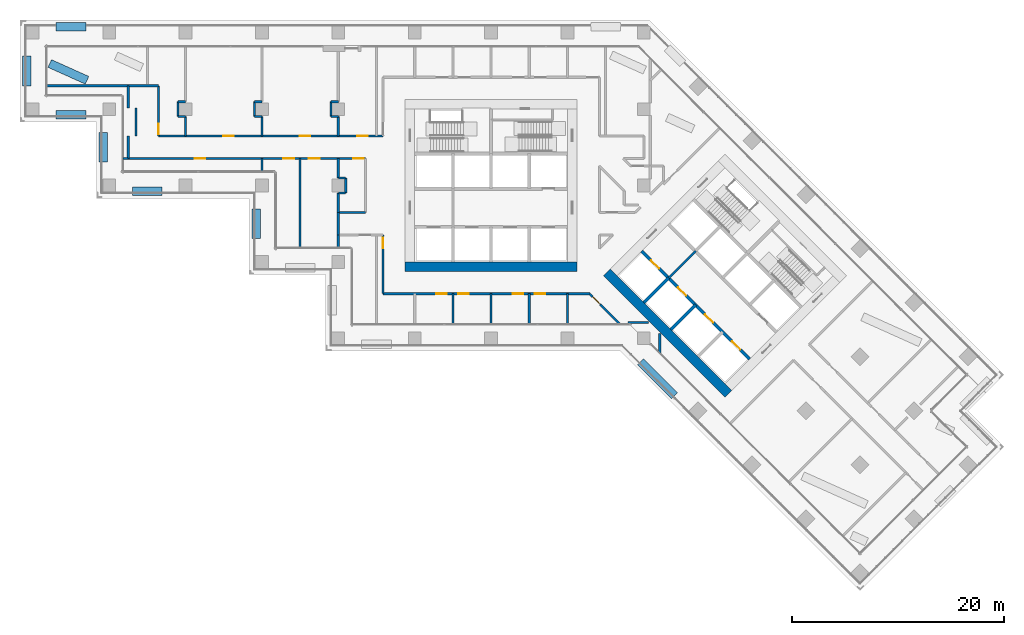
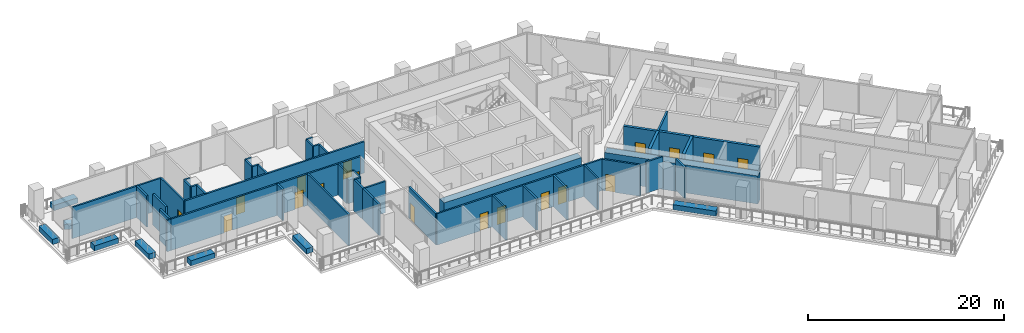
# One storey, part 12 of 24: 54 walls, 18 doors, 18 openings.
"""IFC4 building model written with IfcOpenShell, lengths in metres."""

from ifc_helpers import new_model, si_unit, direction, frame, frame_2d, origin, place, context, subcontext, project, spatial, rectangle, extrude, material, layer, layer_set, type_object, element, fill, save


model = new_model("IFC4")

# Units and contexts
model_context = context("Model", 3, precision=1e-05, world=origin(), true_north=direction((0.0, 1.0)))
body_context = subcontext(model_context, "Body", "Model", "MODEL_VIEW")
ifc_project = project(units=[si_unit("LENGTHUNIT", "METRE"), si_unit("AREAUNIT", "SQUARE_METRE"), si_unit("VOLUMEUNIT", "CUBIC_METRE"), si_unit("PLANEANGLEUNIT", "RADIAN"), si_unit("MASSUNIT", "GRAM", prefix="KILO")], contexts=[model_context])

# Site, building, storey
site_placement = place(None, origin())
site = spatial("IfcSite", under=ifc_project, at=site_placement, CompositionType="ELEMENT")
building_placement = place(site_placement, origin())
building = spatial("IfcBuilding", under=site, at=building_placement, Name="Windrow Commons", CompositionType="ELEMENT")
storey_placement = place(building_placement, frame((0.0, 0.0, 77.0)))
storey = spatial("IfcBuildingStorey", under=building, at=storey_placement, Name="L20", CompositionType="ELEMENT", Elevation=77.0)

# Wall
ifc_material_1 = material(Name="Blockwork partition", Category="masonry")
ifc_layer_1 = layer(ifc_material_1, 0.2)
ifc_layer_set_1 = layer_set([ifc_layer_1], Name="Fire lobby partition 200")
wall_type_1 = type_object("IfcWallType", Name="Fire lobby partition 200", PredefinedType="PARTITIONING", material=ifc_layer_set_1)
wall_1_placement = place(storey_placement, frame((81.5335, 48.8776, 0.0), z_axis=(0.0, 0.0, 1.0), x_axis=(0.707092892, 0.7071206701, 0.0)))
element("IfcWall", 1, at=wall_1_placement, inside=storey, type_object=wall_type_1, Name="W-core-lobby-B-L20", PredefinedType="PARTITIONING", context=body_context, shape_type="SweptSolid", body=[
    extrude(rectangle(XDim=3.6, YDim=0.2, at=frame_2d((1.8, 0.0))), origin(), (0.0, 0.0, 1.0), 3.9),
])

# Wall, openings, doors
ifc_material_2 = material(Name="Blockwork partition", Category="masonry")
ifc_layer_2 = layer(ifc_material_2, 0.2)
ifc_layer_set_2 = layer_set([ifc_layer_2], Name="IW-CORRIDOR-200")
wall_type_2 = type_object("IfcWallType", Name="IW-CORRIDOR-200", PredefinedType="PARTITIONING", material=ifc_layer_set_2)
wall_2_placement = place(storey_placement, frame((30.6, 60.15, 0.0), z_axis=(0.0, 0.0, 1.0), x_axis=(1.0, 0.0, 0.0)))
wall_2 = element("IfcWall", 2, at=wall_2_placement, inside=storey, type_object=wall_type_2, Name="W-L20-W000", PredefinedType="PARTITIONING", context=body_context, shape_type="SweptSolid", body=[
    extrude(rectangle(XDim=22.35, YDim=0.2, at=frame_2d((11.175, 0.0))), origin(), (0.0, 0.0, 1.0), 3.9),
])
opening_1_placement = place(wall_2_placement, frame((6.2543, 0.0, 0.0)))
opening_1 = element("IfcOpeningElement", 3, at=opening_1_placement, cuts=wall_2, Name="Opening D310F", PredefinedType="OPENING", context=body_context, shape_type="SweptSolid", body=[
    extrude(rectangle(XDim=1.0, YDim=2.1, at=frame_2d((0.5, 1.05))), frame((0.0, 0.11, 0.0), z_axis=(0.0, -1.0, 0.0), x_axis=(1.0, 0.0, 0.0)), (0.0, 0.0, 1.0), 0.22),
])
opening_2_placement = place(wall_2_placement, frame((14.6325, 0.0, 0.0)))
opening_2 = element("IfcOpeningElement", 4, at=opening_2_placement, cuts=wall_2, Name="Opening D310F", PredefinedType="OPENING", context=body_context, shape_type="SweptSolid", body=[
    extrude(rectangle(XDim=1.0, YDim=2.1, at=frame_2d((0.5, 1.05))), frame((0.0, 0.11, 0.0), z_axis=(0.0, -1.0, 0.0), x_axis=(1.0, 0.0, 0.0)), (0.0, 0.0, 1.0), 0.22),
])
opening_3_placement = place(wall_2_placement, frame((17.035, 0.0, 0.0)))
opening_3 = element("IfcOpeningElement", 5, at=opening_3_placement, cuts=wall_2, Name="Opening D310F", PredefinedType="OPENING", context=body_context, shape_type="SweptSolid", body=[
    extrude(rectangle(XDim=1.0, YDim=2.1, at=frame_2d((0.5, 1.05))), frame((0.0, 0.11, 0.0), z_axis=(0.0, -1.0, 0.0), x_axis=(1.0, 0.0, 0.0)), (0.0, 0.0, 1.0), 0.22),
])
opening_4_placement = place(wall_2_placement, frame((21.2053, 0.0, 0.0)))
opening_4 = element("IfcOpeningElement", 6, at=opening_4_placement, cuts=wall_2, Name="Opening D410F", PredefinedType="OPENING", context=body_context, shape_type="SweptSolid", body=[
    extrude(rectangle(XDim=1.0, YDim=2.1, at=frame_2d((0.5, 1.05))), frame((0.0, 0.11, 0.0), z_axis=(0.0, -1.0, 0.0), x_axis=(1.0, 0.0, 0.0)), (0.0, 0.0, 1.0), 0.22),
])
ifc_material_3 = material(Name="Timber door leaf", Category="wood")
door_type_1 = type_object("IfcDoorType", Name="DT-AMENITY-1000", OperationType="SINGLE_SWING_LEFT", PredefinedType="DOOR", material=ifc_material_3)
door_1_placement = place(opening_1_placement, origin())
door_1 = element("IfcDoor", 7, at=door_1_placement, inside=storey, type_object=door_type_1, Name="D-L20-D000", OperationType="SINGLE_SWING_LEFT", OverallHeight=2.1, OverallWidth=1.0, PredefinedType="DOOR", context=body_context, shape_type="SweptSolid", body=[
    extrude(rectangle(XDim=1.0, YDim=2.1, at=frame_2d((0.5, 1.05))), frame((0.0, 0.025, 0.0), z_axis=(0.0, -1.0, 0.0), x_axis=(1.0, 0.0, 0.0)), (0.0, 0.0, 1.0), 0.05),
])
fill(opening_1, door_1)
door_2_placement = place(opening_2_placement, origin())
door_2 = element("IfcDoor", 8, at=door_2_placement, inside=storey, type_object=door_type_1, Name="D-L20-D001", OperationType="SINGLE_SWING_LEFT", OverallHeight=2.1, OverallWidth=1.0, PredefinedType="DOOR", context=body_context, shape_type="SweptSolid", body=[
    extrude(rectangle(XDim=1.0, YDim=2.1, at=frame_2d((0.5, 1.05))), frame((0.0, 0.025, 0.0), z_axis=(0.0, -1.0, 0.0), x_axis=(1.0, 0.0, 0.0)), (0.0, 0.0, 1.0), 0.05),
])
fill(opening_2, door_2)
door_3_placement = place(opening_3_placement, origin())
door_3 = element("IfcDoor", 9, at=door_3_placement, inside=storey, type_object=door_type_1, Name="D-L20-D002", OperationType="SINGLE_SWING_RIGHT", OverallHeight=2.1, OverallWidth=1.0, PredefinedType="DOOR", context=body_context, shape_type="SweptSolid", body=[
    extrude(rectangle(XDim=1.0, YDim=2.1, at=frame_2d((0.5, 1.05))), frame((0.0, 0.025, 0.0), z_axis=(0.0, -1.0, 0.0), x_axis=(1.0, 0.0, 0.0)), (0.0, 0.0, 1.0), 0.05),
])
fill(opening_3, door_3)
ifc_material_4 = material(Name="Timber door leaf", Category="wood")
door_type_2 = type_object("IfcDoorType", Name="DT-SERVICE-1000", OperationType="SINGLE_SWING_LEFT", PredefinedType="DOOR", material=ifc_material_4)
door_4_placement = place(opening_4_placement, origin())
door_4 = element("IfcDoor", 10, at=door_4_placement, inside=storey, type_object=door_type_2, Name="D-L20-D003", OperationType="SINGLE_SWING_LEFT", OverallHeight=2.1, OverallWidth=1.0, PredefinedType="DOOR", context=body_context, shape_type="SweptSolid", body=[
    extrude(rectangle(XDim=1.0, YDim=2.1, at=frame_2d((0.5, 1.05))), frame((0.0, 0.025, 0.0), z_axis=(0.0, -1.0, 0.0), x_axis=(1.0, 0.0, 0.0)), (0.0, 0.0, 1.0), 0.05),
])
fill(opening_4, door_4)

wall_3_placement = place(storey_placement, frame((33.452, 62.25, 0.0), z_axis=(0.0, 0.0, 1.0), x_axis=(1.0, 0.0, 0.0)))
wall_3 = element("IfcWall", 11, at=wall_3_placement, inside=storey, type_object=wall_type_2, Name="W-L20-W001", PredefinedType="PARTITIONING", context=body_context, shape_type="SweptSolid", body=[
    extrude(rectangle(XDim=21.148, YDim=0.2, at=frame_2d((10.574, 0.0))), origin(), (0.0, 0.0, 1.0), 3.9),
])
opening_5_placement = place(wall_3_placement, frame((6.1055, 0.0, 0.0)))
opening_5 = element("IfcOpeningElement", 12, at=opening_5_placement, cuts=wall_3, Name="Opening D310F", PredefinedType="OPENING", context=body_context, shape_type="SweptSolid", body=[
    extrude(rectangle(XDim=1.0, YDim=2.1, at=frame_2d((0.5, 1.05))), frame((0.0, 0.11, 0.0), z_axis=(0.0, -1.0, 0.0), x_axis=(1.0, 0.0, 0.0)), (0.0, 0.0, 1.0), 0.22),
])
opening_6_placement = place(wall_3_placement, frame((13.3055, 0.0, 0.0)))
opening_6 = element("IfcOpeningElement", 13, at=opening_6_placement, cuts=wall_3, Name="Opening D310F", PredefinedType="OPENING", context=body_context, shape_type="SweptSolid", body=[
    extrude(rectangle(XDim=1.0, YDim=2.1, at=frame_2d((0.5, 1.05))), frame((0.0, 0.11, 0.0), z_axis=(0.0, -1.0, 0.0), x_axis=(1.0, 0.0, 0.0)), (0.0, 0.0, 1.0), 0.22),
])
opening_7_placement = place(wall_3_placement, frame((18.713, 0.0, 0.0)))
opening_7 = element("IfcOpeningElement", 14, at=opening_7_placement, cuts=wall_3, Name="Opening D310F", PredefinedType="OPENING", context=body_context, shape_type="SweptSolid", body=[
    extrude(rectangle(XDim=1.0, YDim=2.1, at=frame_2d((0.5, 1.05))), frame((0.0, 0.11, 0.0), z_axis=(0.0, -1.0, 0.0), x_axis=(1.0, 0.0, 0.0)), (0.0, 0.0, 1.0), 0.22),
])
door_5_placement = place(opening_5_placement, origin())
door_5 = element("IfcDoor", 15, at=door_5_placement, inside=storey, type_object=door_type_1, Name="D-L20-D014", OperationType="SINGLE_SWING_RIGHT", OverallHeight=2.1, OverallWidth=1.0, PredefinedType="DOOR", context=body_context, shape_type="SweptSolid", body=[
    extrude(rectangle(XDim=1.0, YDim=2.1, at=frame_2d((0.5, 1.05))), frame((0.0, 0.025, 0.0), z_axis=(0.0, -1.0, 0.0), x_axis=(1.0, 0.0, 0.0)), (0.0, 0.0, 1.0), 0.05),
])
fill(opening_5, door_5)
door_6_placement = place(opening_6_placement, origin())
door_6 = element("IfcDoor", 16, at=door_6_placement, inside=storey, type_object=door_type_1, Name="D-L20-D015", OperationType="SINGLE_SWING_RIGHT", OverallHeight=2.1, OverallWidth=1.0, PredefinedType="DOOR", context=body_context, shape_type="SweptSolid", body=[
    extrude(rectangle(XDim=1.0, YDim=2.1, at=frame_2d((0.5, 1.05))), frame((0.0, 0.025, 0.0), z_axis=(0.0, -1.0, 0.0), x_axis=(1.0, 0.0, 0.0)), (0.0, 0.0, 1.0), 0.05),
])
fill(opening_6, door_6)
door_7_placement = place(opening_7_placement, origin())
door_7 = element("IfcDoor", 17, at=door_7_placement, inside=storey, type_object=door_type_1, Name="D-L20-D016", OperationType="SINGLE_SWING_RIGHT", OverallHeight=2.1, OverallWidth=1.0, PredefinedType="DOOR", context=body_context, shape_type="SweptSolid", body=[
    extrude(rectangle(XDim=1.0, YDim=2.1, at=frame_2d((0.5, 1.05))), frame((0.0, 0.025, 0.0), z_axis=(0.0, -1.0, 0.0), x_axis=(1.0, 0.0, 0.0)), (0.0, 0.0, 1.0), 0.05),
])
fill(opening_7, door_7)

wall_4_placement = place(storey_placement, frame((54.6, 47.4, 0.0), z_axis=(0.0, 0.0, 1.0), x_axis=(1.0, 0.0, 0.0)))
wall_4 = element("IfcWall", 18, at=wall_4_placement, inside=storey, type_object=wall_type_2, Name="W-L20-W003", PredefinedType="PARTITIONING", context=body_context, shape_type="SweptSolid", body=[
    extrude(rectangle(XDim=19.502, YDim=0.2, at=frame_2d((9.751, 0.0))), origin(), (0.0, 0.0, 1.0), 3.9),
])
opening_8_placement = place(wall_4_placement, frame((5.0325, 0.0, 0.0)))
opening_8 = element("IfcOpeningElement", 19, at=opening_8_placement, cuts=wall_4, Name="Opening D310F", PredefinedType="OPENING", context=body_context, shape_type="SweptSolid", body=[
    extrude(rectangle(XDim=1.0, YDim=2.1, at=frame_2d((0.5, 1.05))), frame((0.0, 0.11, 0.0), z_axis=(0.0, -1.0, 0.0), x_axis=(1.0, 0.0, 0.0)), (0.0, 0.0, 1.0), 0.22),
])
opening_9_placement = place(wall_4_placement, frame((7.1075, 0.0, 0.0)))
opening_9 = element("IfcOpeningElement", 20, at=opening_9_placement, cuts=wall_4, Name="Opening D310F", PredefinedType="OPENING", context=body_context, shape_type="SweptSolid", body=[
    extrude(rectangle(XDim=1.0, YDim=2.1, at=frame_2d((0.5, 1.05))), frame((0.0, 0.11, 0.0), z_axis=(0.0, -1.0, 0.0), x_axis=(1.0, 0.0, 0.0)), (0.0, 0.0, 1.0), 0.22),
])
opening_10_placement = place(wall_4_placement, frame((12.2325, 0.0, 0.0)))
opening_10 = element("IfcOpeningElement", 21, at=opening_10_placement, cuts=wall_4, Name="Opening D310F", PredefinedType="OPENING", context=body_context, shape_type="SweptSolid", body=[
    extrude(rectangle(XDim=1.0, YDim=2.1, at=frame_2d((0.5, 1.05))), frame((0.0, 0.11, 0.0), z_axis=(0.0, -1.0, 0.0), x_axis=(1.0, 0.0, 0.0)), (0.0, 0.0, 1.0), 0.22),
])
opening_11_placement = place(wall_4_placement, frame((14.3075, 0.0, 0.0)))
opening_11 = element("IfcOpeningElement", 22, at=opening_11_placement, cuts=wall_4, Name="Opening D310F", PredefinedType="OPENING", context=body_context, shape_type="SweptSolid", body=[
    extrude(rectangle(XDim=1.0, YDim=2.1, at=frame_2d((0.5, 1.05))), frame((0.0, 0.11, 0.0), z_axis=(0.0, -1.0, 0.0), x_axis=(1.0, 0.0, 0.0)), (0.0, 0.0, 1.0), 0.22),
])
door_8_placement = place(opening_8_placement, origin())
door_8 = element("IfcDoor", 23, at=door_8_placement, inside=storey, type_object=door_type_1, Name="D-L20-D006", OperationType="SINGLE_SWING_LEFT", OverallHeight=2.1, OverallWidth=1.0, PredefinedType="DOOR", context=body_context, shape_type="SweptSolid", body=[
    extrude(rectangle(XDim=1.0, YDim=2.1, at=frame_2d((0.5, 1.05))), frame((0.0, 0.025, 0.0), z_axis=(0.0, -1.0, 0.0), x_axis=(1.0, 0.0, 0.0)), (0.0, 0.0, 1.0), 0.05),
])
fill(opening_8, door_8)
door_9_placement = place(opening_9_placement, origin())
door_9 = element("IfcDoor", 24, at=door_9_placement, inside=storey, type_object=door_type_1, Name="D-L20-D007", OperationType="SINGLE_SWING_RIGHT", OverallHeight=2.1, OverallWidth=1.0, PredefinedType="DOOR", context=body_context, shape_type="SweptSolid", body=[
    extrude(rectangle(XDim=1.0, YDim=2.1, at=frame_2d((0.5, 1.05))), frame((0.0, 0.025, 0.0), z_axis=(0.0, -1.0, 0.0), x_axis=(1.0, 0.0, 0.0)), (0.0, 0.0, 1.0), 0.05),
])
fill(opening_9, door_9)
door_10_placement = place(opening_10_placement, origin())
door_10 = element("IfcDoor", 25, at=door_10_placement, inside=storey, type_object=door_type_1, Name="D-L20-D008", OperationType="SINGLE_SWING_LEFT", OverallHeight=2.1, OverallWidth=1.0, PredefinedType="DOOR", context=body_context, shape_type="SweptSolid", body=[
    extrude(rectangle(XDim=1.0, YDim=2.1, at=frame_2d((0.5, 1.05))), frame((0.0, 0.025, 0.0), z_axis=(0.0, -1.0, 0.0), x_axis=(1.0, 0.0, 0.0)), (0.0, 0.0, 1.0), 0.05),
])
fill(opening_10, door_10)
door_11_placement = place(opening_11_placement, origin())
door_11 = element("IfcDoor", 26, at=door_11_placement, inside=storey, type_object=door_type_1, Name="D-L20-D009", OperationType="SINGLE_SWING_RIGHT", OverallHeight=2.1, OverallWidth=1.0, PredefinedType="DOOR", context=body_context, shape_type="SweptSolid", body=[
    extrude(rectangle(XDim=1.0, YDim=2.1, at=frame_2d((0.5, 1.05))), frame((0.0, 0.025, 0.0), z_axis=(0.0, -1.0, 0.0), x_axis=(1.0, 0.0, 0.0)), (0.0, 0.0, 1.0), 0.05),
])
fill(opening_11, door_11)

# Wall, opening, door
wall_5_placement = place(storey_placement, frame((54.6, 47.4, 0.0), z_axis=(0.0, 0.0, 1.0), x_axis=(0.0, 1.0, 0.0)))
wall_5 = element("IfcWall", 27, at=wall_5_placement, inside=storey, type_object=wall_type_2, Name="W-L20-W018", PredefinedType="PARTITIONING", context=body_context, shape_type="SweptSolid", body=[
    extrude(rectangle(XDim=5.55, YDim=0.2, at=frame_2d((2.775, 0.0))), origin(), (0.0, 0.0, 1.0), 3.9),
])
opening_12_placement = place(wall_5_placement, frame((4.2947, 0.0, 0.0)))
opening_12 = element("IfcOpeningElement", 28, at=opening_12_placement, cuts=wall_5, Name="Opening D310F", PredefinedType="OPENING", context=body_context, shape_type="SweptSolid", body=[
    extrude(rectangle(XDim=1.0, YDim=2.1, at=frame_2d((0.5, 1.05))), frame((0.0, 0.11, 0.0), z_axis=(0.0, -1.0, 0.0), x_axis=(1.0, 0.0, 0.0)), (0.0, 0.0, 1.0), 0.22),
])
door_12_placement = place(opening_12_placement, origin())
door_12 = element("IfcDoor", 29, at=door_12_placement, inside=storey, type_object=door_type_1, Name="D-L20-D005", OperationType="SINGLE_SWING_RIGHT", OverallHeight=2.1, OverallWidth=1.0, PredefinedType="DOOR", context=body_context, shape_type="SweptSolid", body=[
    extrude(rectangle(XDim=1.0, YDim=2.1, at=frame_2d((0.5, 1.05))), frame((0.0, 0.025, 0.0), z_axis=(0.0, -1.0, 0.0), x_axis=(1.0, 0.0, 0.0)), (0.0, 0.0, 1.0), 0.05),
])
fill(opening_12, door_12)

wall_6_placement = place(storey_placement, frame((33.45, 62.252, 0.0), z_axis=(0.0, 0.0, 1.0), x_axis=(0.0, 1.0, 0.0)))
wall_6 = element("IfcWall", 30, at=wall_6_placement, inside=storey, type_object=wall_type_2, Name="W-L20-W027", PredefinedType="PARTITIONING", context=body_context, shape_type="SweptSolid", body=[
    extrude(rectangle(XDim=4.748, YDim=0.2, at=frame_2d((2.374, 0.0))), origin(), (0.0, 0.0, 1.0), 3.9),
])
opening_13_placement = place(wall_6_placement, frame((0.1925, 0.0, 0.0)))
opening_13 = element("IfcOpeningElement", 31, at=opening_13_placement, cuts=wall_6, Name="Opening D310F", PredefinedType="OPENING", context=body_context, shape_type="SweptSolid", body=[
    extrude(rectangle(XDim=1.0, YDim=2.1, at=frame_2d((0.5, 1.05))), frame((0.0, 0.11, 0.0), z_axis=(0.0, -1.0, 0.0), x_axis=(1.0, 0.0, 0.0)), (0.0, 0.0, 1.0), 0.22),
])
door_13_placement = place(opening_13_placement, origin())
door_13 = element("IfcDoor", 32, at=door_13_placement, inside=storey, type_object=door_type_1, Name="D-L20-D013", OperationType="SINGLE_SWING_LEFT", OverallHeight=2.1, OverallWidth=1.0, PredefinedType="DOOR", context=body_context, shape_type="SweptSolid", body=[
    extrude(rectangle(XDim=1.0, YDim=2.1, at=frame_2d((0.5, 1.05))), frame((0.0, 0.025, 0.0), z_axis=(0.0, -1.0, 0.0), x_axis=(1.0, 0.0, 0.0)), (0.0, 0.0, 1.0), 0.05),
])
fill(opening_13, door_13)

wall_7_placement = place(storey_placement, frame((74.0985, 47.3965, 0.0), z_axis=(0.0, 0.0, 1.0), x_axis=(0.7071067812, -0.7071067812, 0.0)))
wall_7 = element("IfcWall", 33, at=wall_7_placement, inside=storey, type_object=wall_type_2, Name="W-L20-W033", PredefinedType="PARTITIONING", context=body_context, shape_type="SweptSolid", body=[
    extrude(rectangle(XDim=4.0588, YDim=0.2, at=frame_2d((2.0294, 0.0))), origin(), (0.0, 0.0, 1.0), 3.9),
])
opening_14_placement = place(wall_7_placement, frame((0.3945, 0.0, 0.0)))
opening_14 = element("IfcOpeningElement", 34, at=opening_14_placement, cuts=wall_7, Name="Opening D310F", PredefinedType="OPENING", context=body_context, shape_type="SweptSolid", body=[
    extrude(rectangle(XDim=1.0, YDim=2.1, at=frame_2d((0.5, 1.05))), frame((0.0, 0.11, 0.0), z_axis=(0.0, -1.0, 0.0), x_axis=(1.0, 0.0, 0.0)), (0.0, 0.0, 1.0), 0.22),
])
door_14_placement = place(opening_14_placement, origin())
door_14 = element("IfcDoor", 35, at=door_14_placement, inside=storey, type_object=door_type_1, Name="D-L20-D010", OperationType="SINGLE_SWING_LEFT", OverallHeight=2.1, OverallWidth=1.0, PredefinedType="DOOR", context=body_context, shape_type="SweptSolid", body=[
    extrude(rectangle(XDim=1.0, YDim=2.1, at=frame_2d((0.5, 1.05))), frame((0.0, 0.025, 0.0), z_axis=(0.0, -1.0, 0.0), x_axis=(1.0, 0.0, 0.0)), (0.0, 0.0, 1.0), 0.05),
])
fill(opening_14, door_14)

# Walls
wall_8_placement = place(storey_placement, frame((30.6, 67.0, 0.0), z_axis=(0.0, 0.0, 1.0), x_axis=(1.0, 0.0, 0.0)))
element("IfcWall", 36, at=wall_8_placement, inside=storey, type_object=wall_type_2, Name="W-L20-W049", PredefinedType="PARTITIONING", context=body_context, shape_type="SweptSolid", body=[
    extrude(rectangle(XDim=2.85, YDim=0.2, at=frame_2d((1.425, 0.0))), origin(), (0.0, 0.0, 1.0), 3.9),
])
wall_9_placement = place(storey_placement, frame((31.35, 62.252, 0.0), z_axis=(0.0, 0.0, 1.0), x_axis=(0.0, 1.0, 0.0)))
element("IfcWall", 37, at=wall_9_placement, inside=storey, type_object=wall_type_2, Name="W-L20-W050", PredefinedType="PARTITIONING", context=body_context, shape_type="SweptSolid", body=[
    extrude(rectangle(XDim=2.648, YDim=0.2, at=frame_2d((1.324, 0.0))), origin(), (0.0, 0.0, 1.0), 3.9),
])
wall_10_placement = place(storey_placement, frame((50.4, 55.05, 0.0), z_axis=(0.0, 0.0, 1.0), x_axis=(1.0, 0.0, 0.0)))
element("IfcWall", 38, at=wall_10_placement, inside=storey, type_object=wall_type_2, Name="W-L20-W051", PredefinedType="PARTITIONING", context=body_context, shape_type="SweptSolid", body=[
    extrude(rectangle(XDim=2.55, YDim=0.2, at=frame_2d((1.275, 0.0))), origin(), (0.0, 0.0, 1.0), 3.9),
])
for number, where, z_axis, x_axis, name in (
    (39, (30.6, 60.15, 0.0), (0.0, 0.0, 1.0), (0.0, 1.0, 0.0), "W-L20-W052"),
    (40, (30.6, 64.9, 0.0), (0.0, 0.0, 1.0), (0.0, 1.0, 0.0), "W-L20-W053"),
    (41, (50.4, 52.95, 0.0), (0.0, 0.0, 1.0), (0.0, 1.0, 0.0), "W-L20-W054"),
):
    element("IfcWall", number, at=place(storey_placement, frame(where, z_axis=z_axis, x_axis=x_axis)), inside=storey, type_object=wall_type_2, Name=name, PredefinedType="PARTITIONING", context=body_context, shape_type="SweptSolid", body=[
        extrude(rectangle(XDim=2.1, YDim=0.2, at=frame_2d((1.05, 0.0))), origin(), (0.0, 0.0, 1.0), 3.9),
    ])
wall_11_placement = place(storey_placement, frame((77.702, 44.7, 0.0), z_axis=(0.0, 0.0, 1.0), x_axis=(1.0, 0.0, 0.0)))
element("IfcWall", 42, at=wall_11_placement, inside=storey, type_object=wall_type_2, Name="W-L20-W056", PredefinedType="PARTITIONING", context=body_context, shape_type="SweptSolid", body=[
    extrude(rectangle(XDim=1.956, YDim=0.2, at=frame_2d((0.978, 0.0))), origin(), (0.0, 0.0, 1.0), 3.9),
])
wall_12_placement = place(storey_placement, frame((80.7, 41.834, 0.0), z_axis=(0.0, 0.0, 1.0), x_axis=(0.0, 1.0, 0.0)))
element("IfcWall", 43, at=wall_12_placement, inside=storey, type_object=wall_type_2, Name="W-L20-W064", PredefinedType="PARTITIONING", context=body_context, shape_type="SweptSolid", body=[
    extrude(rectangle(XDim=1.824, YDim=0.2, at=frame_2d((0.912, 0.0))), origin(), (0.0, 0.0, 1.0), 3.9),
])
ifc_material_5 = material(Name="Blockwork partition", Category="masonry")
ifc_layer_3 = layer(ifc_material_5, 0.2)
ifc_layer_set_3 = layer_set([ifc_layer_3], Name="IW-PARTY-200")
wall_type_3 = type_object("IfcWallType", Name="IW-PARTY-200", PredefinedType="PARTITIONING", material=ifc_layer_set_3)
wall_13_placement = place(storey_placement, frame((46.8, 51.73, 0.0), z_axis=(0.0, 0.0, 1.0), x_axis=(0.0, 1.0, 0.0)))
element("IfcWall", 44, at=wall_13_placement, inside=storey, type_object=wall_type_3, Name="W-L20-W010", PredefinedType="PARTITIONING", context=body_context, shape_type="SweptSolid", body=[
    extrude(rectangle(XDim=8.42, YDim=0.2, at=frame_2d((4.21, 0.0))), origin(), (0.0, 0.0, 1.0), 3.9),
])
wall_14_placement = place(storey_placement, frame((22.93, 67.0, 0.0), z_axis=(0.0, 0.0, 1.0), x_axis=(1.0, 0.0, 0.0)))
element("IfcWall", 45, at=wall_14_placement, inside=storey, type_object=wall_type_3, Name="W-L20-W015", PredefinedType="PARTITIONING", context=body_context, shape_type="SweptSolid", body=[
    extrude(rectangle(XDim=7.67, YDim=0.2, at=frame_2d((3.835, 0.0))), origin(), (0.0, 0.0, 1.0), 3.9),
])
for number, where, z_axis, x_axis, name in (
    (46, (61.2, 44.53, 0.0), (0.0, 0.0, 1.0), (0.0, 1.0, 0.0), "W-L20-W045"),
    (47, (64.8, 44.53, 0.0), (0.0, 0.0, 1.0), (0.0, 1.0, 0.0), "W-L20-W046"),
    (48, (68.4, 44.53, 0.0), (0.0, 0.0, 1.0), (0.0, 1.0, 0.0), "W-L20-W047"),
    (49, (72.0, 44.53, 0.0), (0.0, 0.0, 1.0), (0.0, 1.0, 0.0), "W-L20-W048"),
):
    element("IfcWall", number, at=place(storey_placement, frame(where, z_axis=z_axis, x_axis=x_axis)), inside=storey, type_object=wall_type_3, Name=name, PredefinedType="PARTITIONING", context=body_context, shape_type="SweptSolid", body=[
        extrude(rectangle(XDim=2.87, YDim=0.2, at=frame_2d((1.435, 0.0))), origin(), (0.0, 0.0, 1.0), 3.9),
    ])
for number, where, z_axis, x_axis, name in (
    (50, (36.0, 62.25, 0.0), (0.0, 0.0, 1.0), (0.0, 1.0, 0.0), "W-L20-W058"),
    (51, (43.2, 62.25, 0.0), (0.0, 0.0, 1.0), (0.0, 1.0, 0.0), "W-L20-W059"),
    (52, (50.4, 62.25, 0.0), (0.0, 0.0, 1.0), (0.0, 1.0, 0.0), "W-L20-W060"),
):
    element("IfcWall", number, at=place(storey_placement, frame(where, z_axis=z_axis, x_axis=x_axis)), inside=storey, type_object=wall_type_3, Name=name, PredefinedType="PARTITIONING", context=body_context, shape_type="SweptSolid", body=[
        extrude(rectangle(XDim=1.846, YDim=0.2, at=frame_2d((0.923, 0.0))), origin(), (0.0, 0.0, 1.0), 3.9),
    ])
for number, where, z_axis, x_axis, name in (
    (53, (50.4, 55.05, 0.0), (0.0, 0.0, 1.0), (0.0, 1.0, 0.0), "W-L20-W061"),
    (54, (50.4, 58.306, 0.0), (0.0, 0.0, 1.0), (0.0, 1.0, 0.0), "W-L20-W062"),
):
    element("IfcWall", number, at=place(storey_placement, frame(where, z_axis=z_axis, x_axis=x_axis)), inside=storey, type_object=wall_type_3, Name=name, PredefinedType="PARTITIONING", context=body_context, shape_type="SweptSolid", body=[
        extrude(rectangle(XDim=1.844, YDim=0.2, at=frame_2d((0.922, 0.0))), origin(), (0.0, 0.0, 1.0), 3.9),
    ])
wall_15_placement = place(storey_placement, frame((51.1, 56.894, 0.0), z_axis=(0.0, 0.0, 1.0), x_axis=(0.0, 1.0, 0.0)))
element("IfcWall", 55, at=wall_15_placement, inside=storey, type_object=wall_type_3, Name="W-L20-W071", PredefinedType="PARTITIONING", context=body_context, shape_type="SweptSolid", body=[
    extrude(rectangle(XDim=1.412, YDim=0.2, at=frame_2d((0.706, 0.0))), origin(), (0.0, 0.0, 1.0), 3.9),
])
for number, where, z_axis, x_axis, name in (
    (56, (35.3, 64.096, 0.0), (0.0, 0.0, 1.0), (0.0, 1.0, 0.0), "W-L20-W072"),
    (57, (42.5, 64.096, 0.0), (0.0, 0.0, 1.0), (0.0, 1.0, 0.0), "W-L20-W073"),
    (58, (49.7, 64.096, 0.0), (0.0, 0.0, 1.0), (0.0, 1.0, 0.0), "W-L20-W074"),
):
    element("IfcWall", number, at=place(storey_placement, frame(where, z_axis=z_axis, x_axis=x_axis)), inside=storey, type_object=wall_type_3, Name=name, PredefinedType="PARTITIONING", context=body_context, shape_type="SweptSolid", body=[
        extrude(rectangle(XDim=1.408, YDim=0.2, at=frame_2d((0.704, 0.0))), origin(), (0.0, 0.0, 1.0), 3.9),
    ])
for number, where, z_axis, x_axis, name in (
    (59, (50.4, 51.73, 0.0), (0.0, 0.0, 1.0), (0.0, 1.0, 0.0), "W-L20-W081"),
    (60, (43.2, 58.93, 0.0), (0.0, 0.0, 1.0), (0.0, 1.0, 0.0), "W-L20-W082"),
):
    element("IfcWall", number, at=place(storey_placement, frame(where, z_axis=z_axis, x_axis=x_axis)), inside=storey, type_object=wall_type_3, Name=name, PredefinedType="PARTITIONING", context=body_context, shape_type="SweptSolid", body=[
        extrude(rectangle(XDim=1.22, YDim=0.2, at=frame_2d((0.61, 0.0))), origin(), (0.0, 0.0, 1.0), 3.9),
    ])
for number, where, z_axis, x_axis, name in (
    (61, (35.3, 65.5, 0.0), (0.0, 0.0, 1.0), (1.0, 0.0, 0.0), "W-L20-W087"),
    (62, (42.5, 65.5, 0.0), (0.0, 0.0, 1.0), (1.0, 0.0, 0.0), "W-L20-W088"),
    (63, (35.3, 64.1, 0.0), (0.0, 0.0, 1.0), (1.0, 0.0, 0.0), "W-L20-W089"),
    (64, (42.5, 64.1, 0.0), (0.0, 0.0, 1.0), (1.0, 0.0, 0.0), "W-L20-W090"),
    (65, (50.4, 58.31, 0.0), (0.0, 0.0, 1.0), (1.0, 0.0, 0.0), "W-L20-W091"),
    (66, (50.4, 56.89, 0.0), (0.0, 0.0, 1.0), (1.0, 0.0, 0.0), "W-L20-W092"),
    (67, (49.7, 65.5, 0.0), (0.0, 0.0, 1.0), (1.0, 0.0, 0.0), "W-L20-W093"),
    (68, (49.7, 64.1, 0.0), (0.0, 0.0, 1.0), (1.0, 0.0, 0.0), "W-L20-W094"),
):
    element("IfcWall", number, at=place(storey_placement, frame(where, z_axis=z_axis, x_axis=x_axis)), inside=storey, type_object=wall_type_3, Name=name, PredefinedType="PARTITIONING", context=body_context, shape_type="SweptSolid", body=[
        extrude(rectangle(XDim=0.7, YDim=0.2, at=frame_2d((0.35, 0.0))), origin(), (0.0, 0.0, 1.0), 3.9),
    ])
wall_16_placement = place(storey_placement, frame((30.13, 60.15, 0.0), z_axis=(0.0, 0.0, 1.0), x_axis=(1.0, 0.0, 0.0)))
element("IfcWall", 69, at=wall_16_placement, inside=storey, type_object=wall_type_3, Name="W-L20-W096", PredefinedType="PARTITIONING", context=body_context, shape_type="SweptSolid", body=[
    extrude(rectangle(XDim=0.47, YDim=0.2, at=frame_2d((0.235, 0.0))), origin(), (0.0, 0.0, 1.0), 3.9),
])
ifc_material_6 = material(Name="Concrete C30/37 planter wall", Category="concrete")
ifc_layer_4 = layer(ifc_material_6, 0.8)
ifc_layer_set_4 = layer_set([ifc_layer_4], Name="Planter 800x600")
wall_type_4 = type_object("IfcWallType", Name="Planter 800x600", PredefinedType="SOLIDWALL", material=ifc_layer_set_4)
for number, where, z_axis, x_axis, name in (
    (70, (26.6, 72.55, 0.0), (0.0, 0.0, 1.0), (-1.0, 0.0, 0.0), "PLANTER TR-L20-1.6"),
    (71, (21.05, 69.8, 0.0), (0.0, 0.0, 1.0), (0.0, -1.0, 0.0), "PLANTER TR-L20-1.7"),
    (72, (23.8, 64.25, 0.0), (0.0, 0.0, 1.0), (1.0, 0.0, 0.0), "PLANTER TR-L20-1.8"),
    (73, (28.25, 62.6, 0.0), (0.0, 0.0, 1.0), (0.0, -1.0, 0.0), "PLANTER TR-L20-1.9"),
    (74, (31.0, 57.05, 0.0), (0.0, 0.0, 1.0), (1.0, 0.0, 0.0), "PLANTER TR-L20-1.10"),
    (75, (42.65, 55.4, 0.0), (0.0, 0.0, 1.0), (0.0, -1.0, 0.0), "PLANTER TR-L20-1.11"),
):
    element("IfcWall", number, at=place(storey_placement, frame(where, z_axis=z_axis, x_axis=x_axis)), inside=storey, type_object=wall_type_4, Name=name, PredefinedType="SOLIDWALL", context=body_context, shape_type="SweptSolid", body=[
        extrude(rectangle(XDim=2.8, YDim=0.8, at=frame_2d((1.4, 0.0))), origin(), (0.0, 0.0, 1.0), 0.65),
    ])
wall_17_placement = place(storey_placement, frame((78.8751, 41.0, 0.0), z_axis=(0.0, 0.0, 1.0), x_axis=(0.7071067812, -0.7071067812, 0.0)))
element("IfcWall", 76, at=wall_17_placement, inside=storey, type_object=wall_type_4, Name="PLANTER TR-L20-1.15", PredefinedType="SOLIDWALL", context=body_context, shape_type="SweptSolid", body=[
    extrude(rectangle(XDim=4.5483, YDim=0.8, at=frame_2d((2.2742, 0.0))), origin(), (0.0, 0.0, 1.0), 0.65),
])
wall_18_placement = place(storey_placement, frame((26.7224, 67.52, 0.0), z_axis=(0.0, 0.0, 1.0), x_axis=(-0.912298599, 0.4095256601, 0.0)))
element("IfcWall", 77, at=wall_18_placement, inside=storey, type_object=wall_type_4, Name="PLANTER TR-L20-1 bed 17", PredefinedType="SOLIDWALL", context=body_context, shape_type="SweptSolid", body=[
    extrude(rectangle(XDim=3.8564, YDim=0.8, at=frame_2d((1.9282, 0.0))), origin(), (0.0, 0.0, 1.0), 0.65),
])
ifc_material_7 = material(Name="Concrete C60/75", Category="concrete")
ifc_layer_5 = layer(ifc_material_7, 0.9)
ifc_layer_set_5 = layer_set([ifc_layer_5], Name="RC CORE WALL 900 C60/75")
wall_type_5 = type_object("IfcWallType", Name="RC CORE WALL 900 C60/75", PredefinedType="SHEAR", material=ifc_layer_set_5)
for number, where, z_axis, x_axis, name in (
    (78, (56.7, 49.95, -0.3), (0.0, 0.0, 1.0), (1.0, 0.0, 0.0), "Core A wall outer-S"),
    (79, (75.6998, 49.4079, -0.3), (0.0, 0.0, 1.0), (0.7071098676, -0.7071036948, 0.0), "Core B wall outer-S"),
):
    element("IfcWall", number, at=place(storey_placement, frame(where, z_axis=z_axis, x_axis=x_axis)), inside=storey, type_object=wall_type_5, Name=name, PredefinedType="SHEAR", context=body_context, shape_type="SweptSolid", body=[
        extrude(rectangle(XDim=16.2, YDim=0.9, at=frame_2d((8.1, 0.0))), origin(), (0.0, 0.0, 1.0), 3.5),
    ])
ifc_material_8 = material(Name="Concrete C60/75", Category="concrete")
ifc_layer_6 = layer(ifc_material_8, 0.3)
ifc_layer_set_6 = layer_set([ifc_layer_6], Name="RC SHAFT WALL 300 C60/75")
wall_type_6 = type_object("IfcWallType", Name="RC SHAFT WALL 300 C60/75", PredefinedType="SOLIDWALL", material=ifc_layer_set_6)
wall_19_placement = place(storey_placement, frame((79.2, 46.5442, 0.0), z_axis=(0.0, 0.0, 1.0), x_axis=(0.7071219326, 0.7070916295, 0.0)))
element("IfcWall", 80, at=wall_19_placement, inside=storey, type_object=wall_type_6, Name="Core B wall shaft-S1", PredefinedType="SOLIDWALL", context=body_context, shape_type="SweptSolid", body=[
    extrude(rectangle(XDim=3.3, YDim=0.3, at=frame_2d((1.65, 0.0))), origin(), (0.0, 0.0, 1.0), 3.9),
])
wall_20_placement = place(storey_placement, frame((81.7456, 43.9986, 0.0), z_axis=(0.0, 0.0, 1.0), x_axis=(0.7071067812, 0.7071067812, 0.0)))
element("IfcWall", 81, at=wall_20_placement, inside=storey, type_object=wall_type_6, Name="Core B wall shaft-S2", PredefinedType="SOLIDWALL", context=body_context, shape_type="SweptSolid", body=[
    extrude(rectangle(XDim=3.2999, YDim=0.3, at=frame_2d((1.65, 0.0))), origin(), (0.0, 0.0, 1.0), 3.9),
])

# Wall, openings, doors
wall_21_placement = place(storey_placement, frame((78.9879, 51.4232, 0.0), z_axis=(0.0, 0.0, 1.0), x_axis=(0.7071067812, -0.7071067812, 0.0)))
wall_21 = element("IfcWall", 82, at=wall_21_placement, inside=storey, type_object=wall_type_6, Name="Core B wall lobby-S", PredefinedType="SOLIDWALL", context=body_context, shape_type="SweptSolid", body=[
    extrude(rectangle(XDim=14.3999, YDim=0.3, at=frame_2d((7.2, 0.0))), origin(), (0.0, 0.0, 1.0), 3.9),
])
opening_15_placement = place(wall_21_placement, frame((1.25, 0.0, 0.0)))
opening_15 = element("IfcOpeningElement", 83, at=opening_15_placement, cuts=wall_21, Name="Opening LD", PredefinedType="OPENING", context=body_context, shape_type="SweptSolid", body=[
    extrude(rectangle(XDim=1.1, YDim=2.1, at=frame_2d((0.55, 1.05))), frame((0.0, 0.16, 0.0), z_axis=(0.0, -1.0, 0.0), x_axis=(1.0, 0.0, 0.0)), (0.0, 0.0, 1.0), 0.32),
])
opening_16_placement = place(wall_21_placement, frame((4.85, 0.0, 0.0)))
opening_16 = element("IfcOpeningElement", 84, at=opening_16_placement, cuts=wall_21, Name="Opening LD", PredefinedType="OPENING", context=body_context, shape_type="SweptSolid", body=[
    extrude(rectangle(XDim=1.1, YDim=2.1, at=frame_2d((0.55, 1.05))), frame((0.0, 0.16, 0.0), z_axis=(0.0, -1.0, 0.0), x_axis=(1.0, 0.0, 0.0)), (0.0, 0.0, 1.0), 0.32),
])
opening_17_placement = place(wall_21_placement, frame((8.45, 0.0, 0.0)))
opening_17 = element("IfcOpeningElement", 85, at=opening_17_placement, cuts=wall_21, Name="Opening LD", PredefinedType="OPENING", context=body_context, shape_type="SweptSolid", body=[
    extrude(rectangle(XDim=1.1, YDim=2.1, at=frame_2d((0.55, 1.05))), frame((0.0, 0.16, 0.0), z_axis=(0.0, -1.0, 0.0), x_axis=(1.0, 0.0, 0.0)), (0.0, 0.0, 1.0), 0.32),
])
opening_18_placement = place(wall_21_placement, frame((12.05, 0.0, 0.0)))
opening_18 = element("IfcOpeningElement", 86, at=opening_18_placement, cuts=wall_21, Name="Opening LD", PredefinedType="OPENING", context=body_context, shape_type="SweptSolid", body=[
    extrude(rectangle(XDim=1.1, YDim=2.1, at=frame_2d((0.55, 1.05))), frame((0.0, 0.16, 0.0), z_axis=(0.0, -1.0, 0.0), x_axis=(1.0, 0.0, 0.0)), (0.0, 0.0, 1.0), 0.32),
])
ifc_material_9 = material(Name="Stainless steel door leaf", Category="steel")
door_type_3 = type_object("IfcDoorType", Name="Lift landing door 1100", OperationType="SLIDING_TO_LEFT", PredefinedType="DOOR", material=ifc_material_9)
door_15_placement = place(opening_15_placement, origin())
door_15 = element("IfcDoor", 87, at=door_15_placement, inside=storey, type_object=door_type_3, Name="Lift landing door", OperationType="SLIDING_TO_LEFT", OverallHeight=2.1, OverallWidth=1.1, PredefinedType="DOOR", context=body_context, shape_type="SweptSolid", body=[
    extrude(rectangle(XDim=1.1, YDim=2.1, at=frame_2d((0.55, 1.05))), frame((0.0, 0.025, 0.0), z_axis=(0.0, -1.0, 0.0), x_axis=(1.0, 0.0, 0.0)), (0.0, 0.0, 1.0), 0.05),
])
fill(opening_15, door_15)
door_16_placement = place(opening_16_placement, origin())
door_16 = element("IfcDoor", 88, at=door_16_placement, inside=storey, type_object=door_type_3, Name="Lift landing door", OperationType="SLIDING_TO_RIGHT", OverallHeight=2.1, OverallWidth=1.1, PredefinedType="DOOR", context=body_context, shape_type="SweptSolid", body=[
    extrude(rectangle(XDim=1.1, YDim=2.1, at=frame_2d((0.55, 1.05))), frame((0.0, 0.025, 0.0), z_axis=(0.0, -1.0, 0.0), x_axis=(1.0, 0.0, 0.0)), (0.0, 0.0, 1.0), 0.05),
])
fill(opening_16, door_16)
door_17_placement = place(opening_17_placement, origin())
door_17 = element("IfcDoor", 89, at=door_17_placement, inside=storey, type_object=door_type_3, Name="Lift landing door", OperationType="SLIDING_TO_LEFT", OverallHeight=2.1, OverallWidth=1.1, PredefinedType="DOOR", context=body_context, shape_type="SweptSolid", body=[
    extrude(rectangle(XDim=1.1, YDim=2.1, at=frame_2d((0.55, 1.05))), frame((0.0, 0.025, 0.0), z_axis=(0.0, -1.0, 0.0), x_axis=(1.0, 0.0, 0.0)), (0.0, 0.0, 1.0), 0.05),
])
fill(opening_17, door_17)
door_18_placement = place(opening_18_placement, origin())
door_18 = element("IfcDoor", 90, at=door_18_placement, inside=storey, type_object=door_type_3, Name="Lift landing door", OperationType="SLIDING_TO_RIGHT", OverallHeight=2.1, OverallWidth=1.1, PredefinedType="DOOR", context=body_context, shape_type="SweptSolid", body=[
    extrude(rectangle(XDim=1.1, YDim=2.1, at=frame_2d((0.55, 1.05))), frame((0.0, 0.025, 0.0), z_axis=(0.0, -1.0, 0.0), x_axis=(1.0, 0.0, 0.0)), (0.0, 0.0, 1.0), 0.05),
])
fill(opening_18, door_18)

save(model, "model.ifc")
